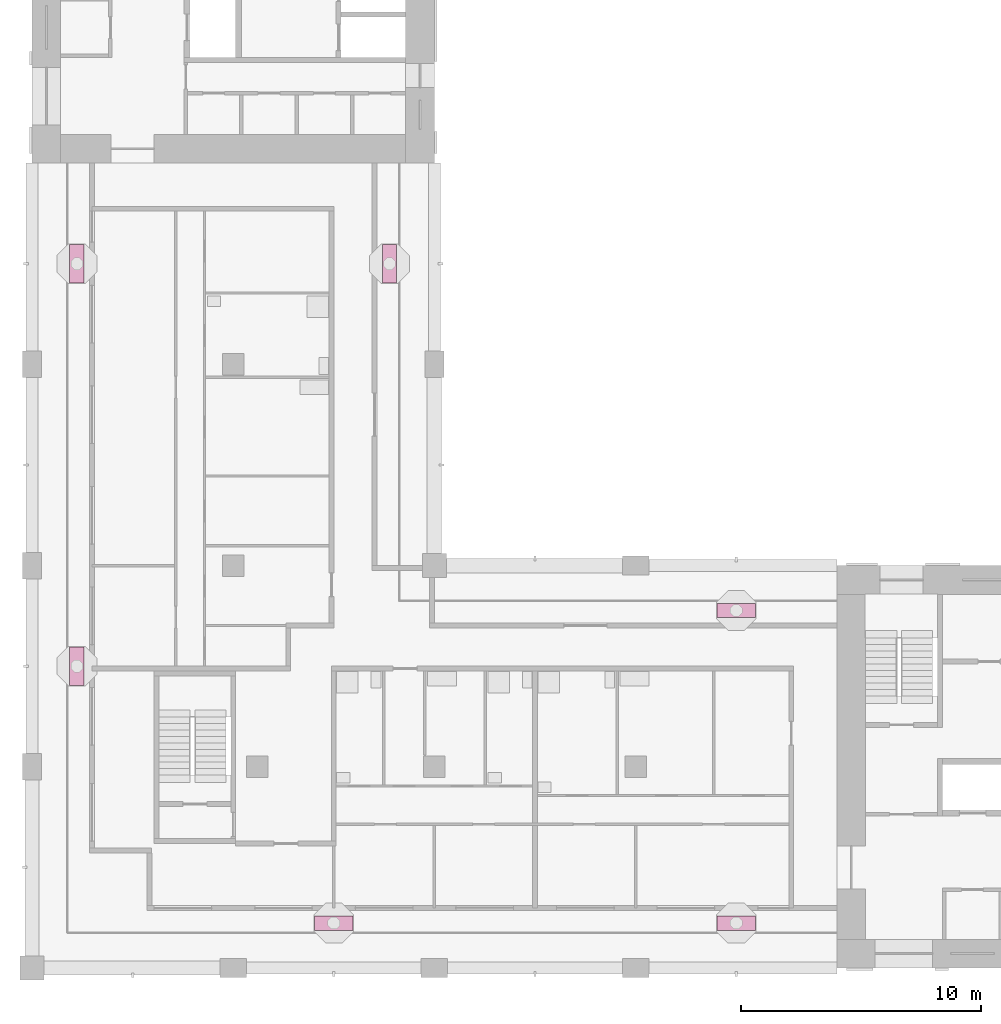
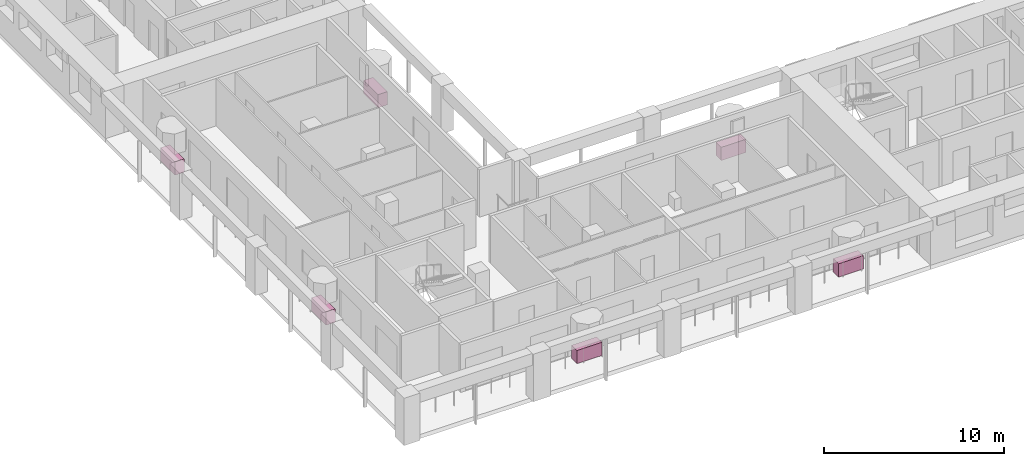
# One storey, part 11 of 12: 6 furniture elements.
"""IFC4 building model written with IfcOpenShell, lengths in metres."""

from ifc_helpers import new_model, si_unit, direction, frame, origin, origin_2d, place, context, subcontext, project, spatial, rectangle, extrude, material, element, save


model = new_model("IFC4")

# Units and contexts
model_context = context("Model", 3, precision=1e-05, world=origin(), true_north=direction((0.0, 1.0)))
body_context = subcontext(model_context, "Body", "Model", "MODEL_VIEW")
ifc_project = project(units=[si_unit("LENGTHUNIT", "METRE"), si_unit("AREAUNIT", "SQUARE_METRE"), si_unit("VOLUMEUNIT", "CUBIC_METRE"), si_unit("PLANEANGLEUNIT", "RADIAN"), si_unit("MASSUNIT", "GRAM", prefix="KILO")], contexts=[model_context])

# Site, building, storey
site_placement = place(None, origin())
site = spatial("IfcSite", under=ifc_project, at=site_placement, CompositionType="ELEMENT")
building_placement = place(site_placement, origin())
building = spatial("IfcBuilding", under=site, at=building_placement, Name="Vermilion Gate Residences", CompositionType="ELEMENT")
storey_placement = place(building_placement, frame((0.0, 0.0, 235.199951171875)))
storey = spatial("IfcBuildingStorey", under=building, at=storey_placement, Name="L61", CompositionType="ELEMENT", Elevation=235.199951171875)

# Furniture
ifc_material = material(Name="Terracotta planter", Category="masonry")
for number, where, z_axis, x_axis, name in (
    (1, (21.0, 10.27490234375, 0.0), (0.0, 0.0, 1.0), (1.0, 0.0, 0.0), "PLANTER"),
    (2, (37.800048828125, 10.27490234375, 0.0), (0.0, 0.0, 1.0), (1.0, 0.0, 0.0), "PLANTER"),
    (3, (37.800048828125, 23.324951171875, 0.0), (0.0, 0.0, 1.0), (-1.0, 0.0, 0.0), "PLANTER"),
    (4, (23.324951171875, 37.800048828125, 0.0), (0.0, 0.0, 1.0), (0.0, 1.0, 0.0), "PLANTER"),
    (5, (10.27490234375, 21.0, 0.0), (0.0, 0.0, 1.0), (0.0, -1.0, 0.0), "PLANTER"),
    (6, (10.27490234375, 37.800048828125, 0.0), (0.0, 0.0, 1.0), (0.0, -1.0, 0.0), "PLANTER"),
):
    element("IfcFurniture", number, at=place(storey_placement, frame(where, z_axis=z_axis, x_axis=x_axis)), inside=storey, material=ifc_material, Name=name, ObjectType="PLANTER", PredefinedType="USERDEFINED", context=body_context, shape_type="SweptSolid", body=[
        extrude(rectangle(XDim=1.60009765625, YDim=0.60009765625, at=origin_2d()), origin(), (0.0, 0.0, 1.0), 0.89990234375),
    ])

save(model, "model.ifc")
